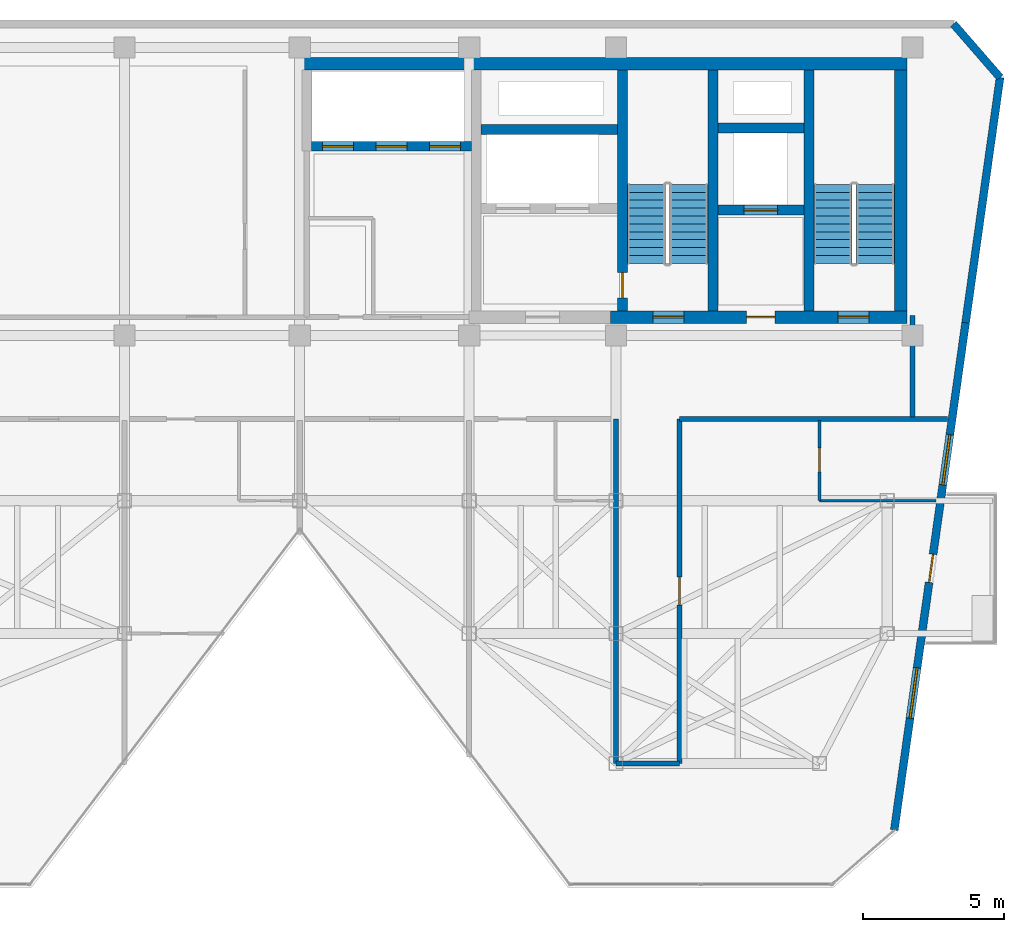
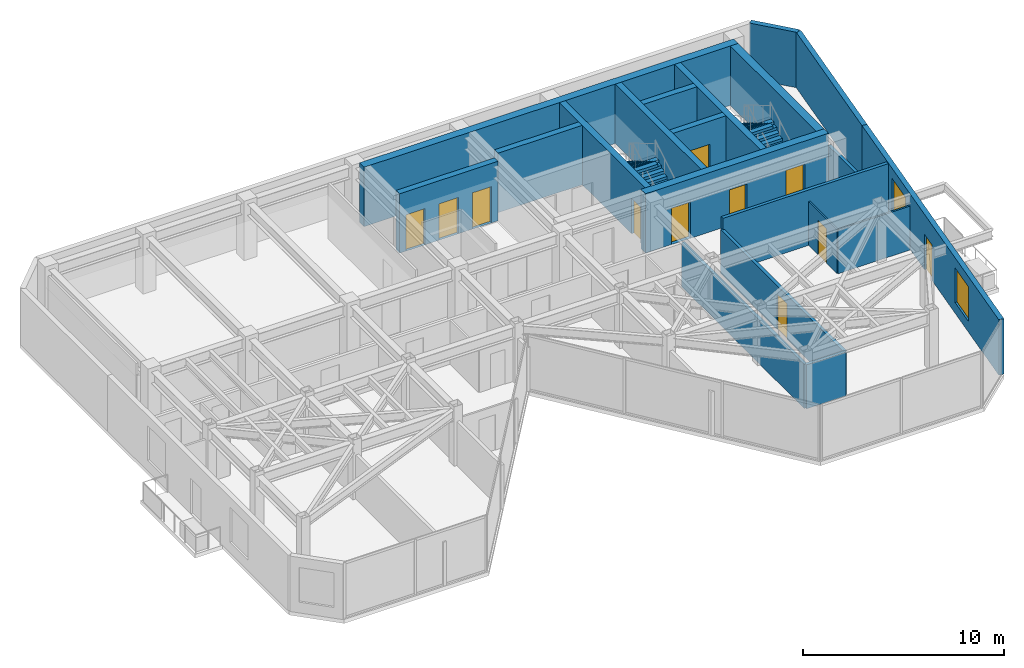
# One storey, part 14 of 17: 20 walls, 11 doors, 4 stair flights, 2 windows, 13 openings, 2 elements without a shape of their own.
"""IFC4 building model written with IfcOpenShell, lengths in metres."""

from ifc_helpers import new_model, si_unit, direction, frame, frame_2d, origin, place, context, subcontext, project, spatial, polyline, rectangle, outline, extrude, material, layer, layer_set, type_object, element, fill, aggregate, save


model = new_model("IFC4")

# Units and contexts
model_context = context("Model", 3, precision=1e-05, world=origin(), true_north=direction((0.0, 1.0)))
body_context = subcontext(model_context, "Body", "Model", "MODEL_VIEW")
ifc_project = project(units=[si_unit("LENGTHUNIT", "METRE"), si_unit("AREAUNIT", "SQUARE_METRE"), si_unit("VOLUMEUNIT", "CUBIC_METRE"), si_unit("PLANEANGLEUNIT", "RADIAN"), si_unit("MASSUNIT", "GRAM", prefix="KILO")], contexts=[model_context])

# Site, building, storey
site_placement = place(None, origin())
site = spatial("IfcSite", under=ifc_project, at=site_placement, CompositionType="ELEMENT")
building_placement = place(site_placement, origin())
building = spatial("IfcBuilding", under=site, at=building_placement, Name="Kravanh Interchange Tower", CompositionType="ELEMENT")
storey_placement = place(building_placement, frame((0.0, 0.0, 249.0)))
storey = spatial("IfcBuildingStorey", under=building, at=storey_placement, Name="L60", CompositionType="ELEMENT", Elevation=249.0)

# Walls
ifc_material_1 = material(Name="Concrete C60/75", Category="concrete")
ifc_layer_1 = layer(ifc_material_1, 0.35009765625)
ifc_layer_set_1 = layer_set([ifc_layer_1], Name="Core Shear Wall Concrete C60/75 350mm")
wall_type_1 = type_object("IfcWallType", Name="Core Shear Wall Concrete C60/75 350mm", PredefinedType="SHEAR", material=ifc_layer_set_1)
for number, where, z_axis, x_axis, name in (
    (1, (62.824951171875, 38.22509765625, 0.0), (0.0, 0.0, 1.0), (0.0, 1.0, 0.0), "L60 Stair ST1 West Shear Wall"),
    (2, (59.425048828125, 38.22509765625, 0.0), (0.0, 0.0, 1.0), (0.0, 1.0, 0.0), "L60 Stair ST2 East Shear Wall"),
):
    element("IfcWall", number, at=place(storey_placement, frame(where, z_axis=z_axis, x_axis=x_axis)), inside=storey, type_object=wall_type_1, Name=name, PredefinedType="SHEAR", context=body_context, shape_type="SweptSolid", body=[
        extrude(rectangle(XDim=8.52490234375, YDim=0.35009765625, at=frame_2d((4.262451171875, 0.0))), origin(), (0.0, 0.0, 1.0), 3.60009765625),
    ])

# Wall, opening, door
wall_1_placement = place(storey_placement, frame((56.22509765625, 38.22509765625, 0.0), z_axis=(0.0, 0.0, 1.0), x_axis=(0.0, 1.0, 0.0)))
wall_1 = element("IfcWall", 3, at=wall_1_placement, inside=storey, type_object=wall_type_1, Name="L60 Stair ST2 West Shear Wall", PredefinedType="SHEAR", context=body_context, shape_type="SweptSolid", body=[
    extrude(rectangle(XDim=8.52490234375, YDim=0.35009765625, at=frame_2d((4.262451171875, 0.0))), origin(), (0.0, 0.0, 1.0), 3.60009765625),
])
opening_1_placement = place(wall_1_placement, frame((0.455078125, 0.0, 0.0)))
opening_1 = element("IfcOpeningElement", 4, at=opening_1_placement, cuts=wall_1, Name="Opening D-STAIR-90", PredefinedType="OPENING", context=body_context, shape_type="SweptSolid", body=[
    extrude(rectangle(XDim=0.89990234375, YDim=2.14990234375, at=frame_2d((0.449951171875, 1.074951171875))), frame((0.0, 0.18505859375, 0.0), z_axis=(0.0, -1.0, 0.0), x_axis=(1.0, 0.0, 0.0)), (0.0, 0.0, 1.0), 0.3701171875),
])
ifc_material_2 = material(Name="Structural Steel S355", Category="steel")
door_type_1 = type_object("IfcDoorType", Name="Fire-Rated Stair Lobby Door 900x2150", OperationType="NOTDEFINED", PredefinedType="DOOR", material=ifc_material_2)
door_1_placement = place(opening_1_placement, origin())
door_1 = element("IfcDoor", 5, at=door_1_placement, inside=storey, type_object=door_type_1, Name="L60 Firefighting Lobby to Stair ST2 Door", OperationType="SINGLE_SWING_LEFT", OverallHeight=2.14990234375, OverallWidth=0.89990234375, PredefinedType="DOOR", context=body_context, shape_type="SweptSolid", body=[
    extrude(rectangle(XDim=0.89990234375, YDim=2.14990234375, at=frame_2d((0.449951171875, 1.074951171875))), frame((0.0, 0.02490234375, 0.0), z_axis=(0.0, -1.0, 0.0), x_axis=(1.0, 0.0, 0.0)), (0.0, 0.0, 1.0), 0.050048828125),
])
fill(opening_1, door_1)

wall_2_placement = place(storey_placement, frame((59.60009765625, 41.800048828125, 0.0), z_axis=(0.0, 0.0, 1.0), x_axis=(1.0, 0.0, 0.0)))
wall_2 = element("IfcWall", 6, at=wall_2_placement, inside=storey, type_object=wall_type_1, Name="L60 Service Lift Shaft South Wall", PredefinedType="SHEAR", context=body_context, shape_type="SweptSolid", body=[
    extrude(rectangle(XDim=3.0498046875, YDim=0.35009765625, at=frame_2d((1.52490234375, 0.0))), origin(), (0.0, 0.0, 1.0), 3.60009765625),
])
opening_2_placement = place(wall_2_placement, frame((0.919921875, 0.0, 0.0)))
opening_2 = element("IfcOpeningElement", 7, at=opening_2_placement, cuts=wall_2, Name="Opening LD02", PredefinedType="OPENING", context=body_context, shape_type="SweptSolid", body=[
    extrude(rectangle(XDim=1.199951171875, YDim=2.199951171875, at=frame_2d((0.60009765625, 1.10009765625))), frame((0.0, 0.18505859375, 0.0), z_axis=(0.0, -1.0, 0.0), x_axis=(1.0, 0.0, 0.0)), (0.0, 0.0, 1.0), 0.3701171875),
])
ifc_material_3 = material(Name="Stainless Steel 316", Category="steel")
door_type_2 = type_object("IfcDoorType", Name="Fire and Service Lift Sliding Landing Door 1200x2200", OperationType="DOUBLE_DOOR_SLIDING", PredefinedType="DOOR", material=ifc_material_3)
door_2_placement = place(opening_2_placement, origin())
door_2 = element("IfcDoor", 8, at=door_2_placement, inside=storey, type_object=door_type_2, Name="L60 Lift LS-01 Landing Door", OperationType="DOUBLE_DOOR_SLIDING", OverallHeight=2.199951171875, OverallWidth=1.199951171875, PredefinedType="DOOR", context=body_context, shape_type="SweptSolid", body=[
    extrude(rectangle(XDim=1.199951171875, YDim=2.199951171875, at=frame_2d((0.60009765625, 1.10009765625))), frame((0.0, 0.02490234375, 0.0), z_axis=(0.0, -1.0, 0.0), x_axis=(1.0, 0.0, 0.0)), (0.0, 0.0, 1.0), 0.050048828125),
])
fill(opening_2, door_2)

# Walls
wall_3_placement = place(storey_placement, frame((59.60009765625, 44.699951171875, 0.0), z_axis=(0.0, 0.0, 1.0), x_axis=(1.0, 0.0, 0.0)))
element("IfcWall", 9, at=wall_3_placement, inside=storey, type_object=wall_type_1, Name="L60 Service Lift Shaft North Wall", PredefinedType="SHEAR", context=body_context, shape_type="SweptSolid", body=[
    extrude(rectangle(XDim=3.0498046875, YDim=0.35009765625, at=frame_2d((1.52490234375, 0.0))), origin(), (0.0, 0.0, 1.0), 3.60009765625),
])
wall_4_placement = place(storey_placement, frame((51.22509765625, 44.64990234375, 0.0), z_axis=(0.0, 0.0, 1.0), x_axis=(1.0, 0.0, 0.0)))
element("IfcWall", 10, at=wall_4_placement, inside=storey, type_object=wall_type_1, Name="L60 Fire Lift Shaft North Wall", PredefinedType="SHEAR", context=body_context, shape_type="SweptSolid", body=[
    extrude(rectangle(XDim=4.824951171875, YDim=0.35009765625, at=frame_2d((2.41259765625, 0.0))), origin(), (0.0, 0.0, 1.0), 3.60009765625),
])

# Wall, openings, doors
wall_5_placement = place(storey_placement, frame((45.22509765625, 44.050048828125, 0.0), z_axis=(0.0, 0.0, 1.0), x_axis=(1.0, 0.0, 0.0)))
wall_5 = element("IfcWall", 11, at=wall_5_placement, inside=storey, type_object=wall_type_1, Name="L60 High-Rise Lift Shaft South Wall", PredefinedType="SHEAR", context=body_context, shape_type="SweptSolid", body=[
    extrude(rectangle(XDim=5.64990234375, YDim=0.35009765625, at=frame_2d((2.824951171875, 0.0))), origin(), (0.0, 0.0, 1.0), 3.60009765625),
])
opening_3_placement = place(wall_5_placement, frame((0.375, 0.0, 0.0)))
opening_3 = element("IfcOpeningElement", 12, at=opening_3_placement, cuts=wall_5, Name="Opening LD01", PredefinedType="OPENING", context=body_context, shape_type="SweptSolid", body=[
    extrude(rectangle(XDim=1.10009765625, YDim=2.199951171875, at=frame_2d((0.550048828125, 1.10009765625))), frame((0.0, 0.18505859375, 0.0), z_axis=(0.0, -1.0, 0.0), x_axis=(1.0, 0.0, 0.0)), (0.0, 0.0, 1.0), 0.3701171875),
])
opening_4_placement = place(wall_5_placement, frame((2.27490234375, 0.0, 0.0)))
opening_4 = element("IfcOpeningElement", 13, at=opening_4_placement, cuts=wall_5, Name="Opening LD01", PredefinedType="OPENING", context=body_context, shape_type="SweptSolid", body=[
    extrude(rectangle(XDim=1.10009765625, YDim=2.199951171875, at=frame_2d((0.550048828125, 1.10009765625))), frame((0.0, 0.18505859375, 0.0), z_axis=(0.0, -1.0, 0.0), x_axis=(1.0, 0.0, 0.0)), (0.0, 0.0, 1.0), 0.3701171875),
])
opening_5_placement = place(wall_5_placement, frame((4.175048828125, 0.0, 0.0)))
opening_5 = element("IfcOpeningElement", 14, at=opening_5_placement, cuts=wall_5, Name="Opening LD01", PredefinedType="OPENING", context=body_context, shape_type="SweptSolid", body=[
    extrude(rectangle(XDim=1.10009765625, YDim=2.199951171875, at=frame_2d((0.550048828125, 1.10009765625))), frame((0.0, 0.18505859375, 0.0), z_axis=(0.0, -1.0, 0.0), x_axis=(1.0, 0.0, 0.0)), (0.0, 0.0, 1.0), 0.3701171875),
])
ifc_material_4 = material(Name="Stainless Steel 304", Category="steel")
door_type_3 = type_object("IfcDoorType", Name="Passenger Lift Sliding Landing Door 1100x2200", OperationType="DOUBLE_DOOR_SLIDING", PredefinedType="DOOR", material=ifc_material_4)
door_3_placement = place(opening_3_placement, origin())
door_3 = element("IfcDoor", 15, at=door_3_placement, inside=storey, type_object=door_type_3, Name="L60 Lift LP-H1 Landing Door", OperationType="DOUBLE_DOOR_SLIDING", OverallHeight=2.199951171875, OverallWidth=1.10009765625, PredefinedType="DOOR", context=body_context, shape_type="SweptSolid", body=[
    extrude(rectangle(XDim=1.10009765625, YDim=2.199951171875, at=frame_2d((0.550048828125, 1.10009765625))), frame((0.0, 0.02490234375, 0.0), z_axis=(0.0, -1.0, 0.0), x_axis=(1.0, 0.0, 0.0)), (0.0, 0.0, 1.0), 0.050048828125),
])
fill(opening_3, door_3)
door_4_placement = place(opening_4_placement, origin())
door_4 = element("IfcDoor", 16, at=door_4_placement, inside=storey, type_object=door_type_3, Name="L60 Lift LP-H2 Landing Door", OperationType="DOUBLE_DOOR_SLIDING", OverallHeight=2.199951171875, OverallWidth=1.10009765625, PredefinedType="DOOR", context=body_context, shape_type="SweptSolid", body=[
    extrude(rectangle(XDim=1.10009765625, YDim=2.199951171875, at=frame_2d((0.550048828125, 1.10009765625))), frame((0.0, 0.02490234375, 0.0), z_axis=(0.0, -1.0, 0.0), x_axis=(1.0, 0.0, 0.0)), (0.0, 0.0, 1.0), 0.050048828125),
])
fill(opening_4, door_4)
door_5_placement = place(opening_5_placement, origin())
door_5 = element("IfcDoor", 17, at=door_5_placement, inside=storey, type_object=door_type_3, Name="L60 Lift LP-H3 Landing Door", OperationType="DOUBLE_DOOR_SLIDING", OverallHeight=2.199951171875, OverallWidth=1.10009765625, PredefinedType="DOOR", context=body_context, shape_type="SweptSolid", body=[
    extrude(rectangle(XDim=1.10009765625, YDim=2.199951171875, at=frame_2d((0.550048828125, 1.10009765625))), frame((0.0, 0.02490234375, 0.0), z_axis=(0.0, -1.0, 0.0), x_axis=(1.0, 0.0, 0.0)), (0.0, 0.0, 1.0), 0.050048828125),
])
fill(opening_5, door_5)

# Wall
ifc_material_5 = material(Name="Concrete C60/75", Category="concrete")
ifc_layer_2 = layer(ifc_material_5, 0.449951171875)
ifc_layer_set_2 = layer_set([ifc_layer_2], Name="Core Shear Wall Concrete C60/75 450mm")
wall_type_2 = type_object("IfcWallType", Name="Core Shear Wall Concrete C60/75 450mm", PredefinedType="SHEAR", material=ifc_layer_set_2)
wall_6_placement = place(storey_placement, frame((44.85009765625, 46.97509765625, 0.0), z_axis=(0.0, 0.0, 1.0), x_axis=(1.0, 0.0, 0.0)))
element("IfcWall", 18, at=wall_6_placement, inside=storey, type_object=wall_type_2, Name="L60 North Core Shear Wall", PredefinedType="SHEAR", context=body_context, shape_type="SweptSolid", body=[
    extrude(rectangle(XDim=21.449951171875, YDim=0.449951171875, at=frame_2d((10.72509765625, 0.0))), origin(), (0.0, 0.0, 1.0), 3.60009765625),
])

# Wall, openings, doors
wall_7_placement = place(storey_placement, frame((55.800048828125, 38.0, 0.0), z_axis=(0.0, 0.0, 1.0), x_axis=(1.0, 0.0, 0.0)))
wall_7 = element("IfcWall", 19, at=wall_7_placement, inside=storey, type_object=wall_type_2, Name="L60 East Core South Shear Wall", PredefinedType="SHEAR", context=body_context, shape_type="SweptSolid", body=[
    extrude(rectangle(XDim=10.5, YDim=0.449951171875, at=frame_2d((5.25, 0.0))), origin(), (0.0, 0.0, 1.0), 3.60009765625),
])
opening_6_placement = place(wall_7_placement, frame((1.5, 0.0, 0.0)))
opening_6 = element("IfcOpeningElement", 20, at=opening_6_placement, cuts=wall_7, Name="Opening D-STAIR-110", PredefinedType="OPENING", context=body_context, shape_type="SweptSolid", body=[
    extrude(rectangle(XDim=1.10009765625, YDim=2.199951171875, at=frame_2d((0.550048828125, 1.10009765625))), frame((0.0, 0.23486328125, 0.0), z_axis=(0.0, -1.0, 0.0), x_axis=(1.0, 0.0, 0.0)), (0.0, 0.0, 1.0), 0.469970703125),
])
opening_7_placement = place(wall_7_placement, frame((4.820068359375, 0.0, 0.0)))
opening_7 = element("IfcOpeningElement", 21, at=opening_7_placement, cuts=wall_7, Name="Opening D-HOTEL-100", PredefinedType="OPENING", context=body_context, shape_type="SweptSolid", body=[
    extrude(rectangle(XDim=1.0, YDim=2.14990234375, at=frame_2d((0.5, 1.074951171875))), frame((0.0, 0.23486328125, 0.0), z_axis=(0.0, -1.0, 0.0), x_axis=(1.0, 0.0, 0.0)), (0.0, 0.0, 1.0), 0.469970703125),
])
opening_8_placement = place(wall_7_placement, frame((8.050048828125, 0.0, 0.0)))
opening_8 = element("IfcOpeningElement", 22, at=opening_8_placement, cuts=wall_7, Name="Opening D-STAIR-110", PredefinedType="OPENING", context=body_context, shape_type="SweptSolid", body=[
    extrude(rectangle(XDim=1.10009765625, YDim=2.199951171875, at=frame_2d((0.550048828125, 1.10009765625))), frame((0.0, 0.23486328125, 0.0), z_axis=(0.0, -1.0, 0.0), x_axis=(1.0, 0.0, 0.0)), (0.0, 0.0, 1.0), 0.469970703125),
])
ifc_material_6 = material(Name="Structural Steel S355", Category="steel")
door_type_4 = type_object("IfcDoorType", Name="Fire-Rated Exit Stair Door 1100x2200", OperationType="NOTDEFINED", PredefinedType="DOOR", material=ifc_material_6)
door_6_placement = place(opening_6_placement, origin())
door_6 = element("IfcDoor", 23, at=door_6_placement, inside=storey, type_object=door_type_4, Name="L60 Exit Stair ST2 Door", OperationType="SINGLE_SWING_RIGHT", OverallHeight=2.199951171875, OverallWidth=1.10009765625, PredefinedType="DOOR", context=body_context, shape_type="SweptSolid", body=[
    extrude(rectangle(XDim=1.10009765625, YDim=2.199951171875, at=frame_2d((0.550048828125, 1.10009765625))), frame((0.0, 0.02490234375, 0.0), z_axis=(0.0, -1.0, 0.0), x_axis=(1.0, 0.0, 0.0)), (0.0, 0.0, 1.0), 0.050048828125),
])
fill(opening_6, door_6)
door_7_placement = place(opening_8_placement, origin())
door_7 = element("IfcDoor", 24, at=door_7_placement, inside=storey, type_object=door_type_4, Name="L60 Exit Stair ST1 Door", OperationType="SINGLE_SWING_RIGHT", OverallHeight=2.199951171875, OverallWidth=1.10009765625, PredefinedType="DOOR", context=body_context, shape_type="SweptSolid", body=[
    extrude(rectangle(XDim=1.10009765625, YDim=2.199951171875, at=frame_2d((0.550048828125, 1.10009765625))), frame((0.0, 0.02490234375, 0.0), z_axis=(0.0, -1.0, 0.0), x_axis=(1.0, 0.0, 0.0)), (0.0, 0.0, 1.0), 0.050048828125),
])
fill(opening_8, door_7)
ifc_material_7 = material(Name="Fire-Rated Solid Timber Leaf", Category="wood")
door_type_5 = type_object("IfcDoorType", Name="Fire-Rated Suite Entrance Door 1000x2150", OperationType="NOTDEFINED", PredefinedType="DOOR", material=ifc_material_7)
door_8_placement = place(opening_7_placement, origin())
door_8 = element("IfcDoor", 25, at=door_8_placement, inside=storey, type_object=door_type_5, Name="L60 Service Lift Lobby Door", OperationType="SINGLE_SWING_RIGHT", OverallHeight=2.14990234375, OverallWidth=1.0, PredefinedType="DOOR", context=body_context, shape_type="SweptSolid", body=[
    extrude(rectangle(XDim=1.0, YDim=2.14990234375, at=frame_2d((0.5, 1.074951171875))), frame((0.0, 0.02490234375, 0.0), z_axis=(0.0, -1.0, 0.0), x_axis=(1.0, 0.0, 0.0)), (0.0, 0.0, 1.0), 0.050048828125),
])
fill(opening_7, door_8)

# Walls
wall_8_placement = place(storey_placement, frame((66.074951171875, 38.22509765625, 0.0), z_axis=(0.0, 0.0, 1.0), x_axis=(0.0, 1.0, 0.0)))
element("IfcWall", 26, at=wall_8_placement, inside=storey, type_object=wall_type_2, Name="L60 Stair ST1 East Shear Wall", PredefinedType="SHEAR", context=body_context, shape_type="SweptSolid", body=[
    extrude(rectangle(XDim=8.52490234375, YDim=0.449951171875, at=frame_2d((4.262451171875, 0.0))), origin(), (0.0, 0.0, 1.0), 3.60009765625),
])
ifc_material_8 = material(Name="Moisture-Resistant Gypsum Board and Mineral Wool")
ifc_layer_3 = layer(ifc_material_8, 0.10009765625)
ifc_layer_set_3 = layer_set([ifc_layer_3], Name="En-Suite Moisture-Resistant Partition 100mm")
wall_type_3 = type_object("IfcWallType", Name="En-Suite Moisture-Resistant Partition 100mm", PredefinedType="PARTITIONING", material=ifc_layer_set_3)
wall_9_placement = place(storey_placement, frame((63.199951171875, 31.5, 0.0), z_axis=(0.0, 0.0, 1.0), x_axis=(1.0, 0.0, 0.0)))
element("IfcWall", 27, at=wall_9_placement, inside=storey, type_object=wall_type_3, Name="L60 Interior Partition 16", PredefinedType="PARTITIONING", context=body_context, shape_type="SweptSolid", body=[
    extrude(rectangle(XDim=4.123046875, YDim=0.10009765625, at=frame_2d((2.0615234375, 0.0))), origin(), (0.0, 0.0, 1.0), 2.6640625),
])

# Wall, opening, door
wall_10_placement = place(storey_placement, frame((63.199951171875, 31.5, 0.0), z_axis=(0.0, 0.0, 1.0), x_axis=(0.0, 1.0, 0.0)))
wall_10 = element("IfcWall", 28, at=wall_10_placement, inside=storey, type_object=wall_type_3, Name="L60 Interior Partition 17", PredefinedType="PARTITIONING", context=body_context, shape_type="SweptSolid", body=[
    extrude(rectangle(XDim=2.83203125, YDim=0.10009765625, at=frame_2d((1.416015625, 0.0))), origin(), (0.0, 0.0, 1.0), 2.6640625),
])
opening_9_placement = place(wall_10_placement, frame((1.02490234375, 0.0, 0.0)))
opening_9 = element("IfcOpeningElement", 29, at=opening_9_placement, cuts=wall_10, Name="Opening D-85", PredefinedType="OPENING", context=body_context, shape_type="SweptSolid", body=[
    extrude(rectangle(XDim=0.85009765625, YDim=2.10009765625, at=frame_2d((0.425048828125, 1.050048828125))), frame((0.0, 0.06005859375, 0.0), z_axis=(0.0, -1.0, 0.0), x_axis=(1.0, 0.0, 0.0)), (0.0, 0.0, 1.0), 0.1201171875),
])
ifc_material_9 = material(Name="Engineered Teak Veneer Timber", Category="wood")
door_type_6 = type_object("IfcDoorType", Name="En-Suite Timber Door 850x2100", OperationType="NOTDEFINED", PredefinedType="DOOR", material=ifc_material_9)
door_9_placement = place(opening_9_placement, origin())
door_9 = element("IfcDoor", 30, at=door_9_placement, inside=storey, type_object=door_type_6, Name="L60 En-suite Bathroom Door", OperationType="SINGLE_SWING_LEFT", OverallHeight=2.10009765625, OverallWidth=0.85009765625, PredefinedType="DOOR", context=body_context, shape_type="SweptSolid", body=[
    extrude(rectangle(XDim=0.85009765625, YDim=2.10009765625, at=frame_2d((0.425048828125, 1.050048828125))), frame((0.0, 0.02490234375, 0.0), z_axis=(0.0, -1.0, 0.0), x_axis=(1.0, 0.0, 0.0)), (0.0, 0.0, 1.0), 0.050048828125),
])
fill(opening_9, door_9)

# Walls
ifc_material_10 = material(Name="Insulated Precast Concrete C40/50 with Bronze Cladding", Category="concrete")
ifc_layer_4 = layer(ifc_material_10, 0.280029296875)
ifc_layer_set_4 = layer_set([ifc_layer_4], Name="Exterior Insulated Concrete C40/50 Bronze Spandrel Wall 280mm")
wall_type_4 = type_object("IfcWallType", Name="Exterior Insulated Concrete C40/50 Bronze Spandrel Wall 280mm", PredefinedType="STANDARD", material=ifc_layer_set_4)
wall_11_placement = place(storey_placement, frame((67.9453125, 48.3798828125, 0.0), z_axis=(0.0, 0.0, 1.0), x_axis=(0.656068147197, -0.75470165379, 0.0)))
element("IfcWall", 31, at=wall_11_placement, inside=storey, type_object=wall_type_4, Name="L60 Exterior Wall 5", PredefinedType="STANDARD", context=body_context, shape_type="SweptSolid", body=[
    extrude(rectangle(XDim=2.514892578125, YDim=0.280029296875, at=frame_2d((1.25732421875, 0.0))), origin(), (0.0, 0.0, 1.0), 3.360107421875),
])
wall_12_placement = place(storey_placement, frame((69.59521484375, 46.48193359375, 0.0), z_axis=(0.0, 0.0, 1.0), x_axis=(-0.139179310088, -0.990267196086, 0.0)))
element("IfcWall", 32, at=wall_12_placement, inside=storey, type_object=wall_type_4, Name="L60 Exterior Wall 6", PredefinedType="STANDARD", context=body_context, shape_type="SweptSolid", body=[
    extrude(rectangle(XDim=8.767333984375, YDim=0.280029296875, at=frame_2d((4.3837890625, 0.0))), origin(), (0.0, 0.0, 1.0), 3.360107421875),
])

# Wall, openings, door, windows
wall_13_placement = place(storey_placement, frame((68.375, 37.800048828125, 0.0), z_axis=(0.0, 0.0, 1.0), x_axis=(-0.13917438523, -0.990267888248, 0.0)))
wall_13 = element("IfcWall", 33, at=wall_13_placement, inside=storey, type_object=wall_type_4, Name="L60 Exterior Wall 7", PredefinedType="STANDARD", context=body_context, shape_type="SweptSolid", body=[
    extrude(rectangle(XDim=18.135009765625, YDim=0.280029296875, at=frame_2d((9.0673828125, 0.0))), origin(), (0.0, 0.0, 1.0), 3.360107421875),
])
opening_10_placement = place(wall_13_placement, frame((8.27880859375, 0.0, 0.0)))
opening_10 = element("IfcOpeningElement", 34, at=opening_10_placement, cuts=wall_13, Name="Opening ED-BAL100", PredefinedType="OPENING", context=body_context, shape_type="SweptSolid", body=[
    extrude(rectangle(XDim=1.0, YDim=2.14990234375, at=frame_2d((0.5, 1.074951171875))), frame((0.0, 0.14990234375, 0.0), z_axis=(0.0, -1.0, 0.0), x_axis=(1.0, 0.0, 0.0)), (0.0, 0.0, 1.0), 0.300048828125),
])
opening_11_placement = place(wall_13_placement, frame((3.997314453125, 0.0, 0.64990234375)))
opening_11 = element("IfcOpeningElement", 35, at=opening_11_placement, cuts=wall_13, Name="Opening WN-180X210", PredefinedType="OPENING", context=body_context, shape_type="SweptSolid", body=[
    extrude(rectangle(XDim=1.800048828125, YDim=2.10009765625, at=frame_2d((0.89990234375, 1.050048828125))), frame((0.0, 0.14990234375, 0.0), z_axis=(0.0, -1.0, 0.0), x_axis=(1.0, 0.0, 0.0)), (0.0, 0.0, 1.0), 0.300048828125),
])
opening_12_placement = place(wall_13_placement, frame((12.337646484375, 0.0, 0.64990234375)))
opening_12 = element("IfcOpeningElement", 36, at=opening_12_placement, cuts=wall_13, Name="Opening WN-180X210", PredefinedType="OPENING", context=body_context, shape_type="SweptSolid", body=[
    extrude(rectangle(XDim=1.800048828125, YDim=2.10009765625, at=frame_2d((0.89990234375, 1.050048828125))), frame((0.0, 0.14990234375, 0.0), z_axis=(0.0, -1.0, 0.0), x_axis=(1.0, 0.0, 0.0)), (0.0, 0.0, 1.0), 0.300048828125),
])
ifc_material_11 = material(Name="Thermally Broken Bronze Aluminium and Laminated Glass", Category="aluminium")
door_type_7 = type_object("IfcDoorType", Name="Balcony Glazed Door 1000x2150", OperationType="NOTDEFINED", PredefinedType="DOOR", material=ifc_material_11)
door_10_placement = place(opening_10_placement, origin())
door_10 = element("IfcDoor", 37, at=door_10_placement, inside=storey, type_object=door_type_7, Name="L60 E Tree Balcony Access Door", OperationType="SINGLE_SWING_RIGHT", OverallHeight=2.14990234375, OverallWidth=1.0, PredefinedType="DOOR", context=body_context, shape_type="SweptSolid", body=[
    extrude(rectangle(XDim=1.0, YDim=2.14990234375, at=frame_2d((0.5, 1.074951171875))), frame((0.0, 0.02490234375, 0.0), z_axis=(0.0, -1.0, 0.0), x_axis=(1.0, 0.0, 0.0)), (0.0, 0.0, 1.0), 0.050048828125),
])
fill(opening_10, door_10)
ifc_material_12 = material(Name="Thermally Broken Bronze Aluminium and Low-E Glass", Category="aluminium")
window_type = type_object("IfcWindowType", Name="Tower Pier Window 1800x2100", PartitioningType="SINGLE_PANEL", PredefinedType="WINDOW", material=ifc_material_12)
window_1_placement = place(opening_11_placement, origin())
window_1 = element("IfcWindow", 38, at=window_1_placement, inside=storey, type_object=window_type, Name="L60 Facade Window 7A", OverallHeight=2.10009765625, OverallWidth=1.800048828125, PartitioningType="SINGLE_PANEL", PredefinedType="WINDOW", context=body_context, shape_type="SweptSolid", body=[
    extrude(rectangle(XDim=1.800048828125, YDim=2.10009765625, at=frame_2d((0.89990234375, 1.050048828125))), frame((0.0, 0.030029296875, 0.0), z_axis=(0.0, -1.0, 0.0), x_axis=(1.0, 0.0, 0.0)), (0.0, 0.0, 1.0), 0.06005859375),
])
fill(opening_11, window_1)
window_2_placement = place(opening_12_placement, origin())
window_2 = element("IfcWindow", 39, at=window_2_placement, inside=storey, type_object=window_type, Name="L60 Facade Window 7B", OverallHeight=2.10009765625, OverallWidth=1.800048828125, PartitioningType="SINGLE_PANEL", PredefinedType="WINDOW", context=body_context, shape_type="SweptSolid", body=[
    extrude(rectangle(XDim=1.800048828125, YDim=2.10009765625, at=frame_2d((0.89990234375, 1.050048828125))), frame((0.0, 0.030029296875, 0.0), z_axis=(0.0, -1.0, 0.0), x_axis=(1.0, 0.0, 0.0)), (0.0, 0.0, 1.0), 0.06005859375),
])
fill(opening_12, window_2)

# Walls
ifc_material_13 = material(Name="Autoclaved Aerated Concrete C30/37 Blockwork", Category="masonry")
ifc_layer_5 = layer(ifc_material_13, 0.179931640625)
ifc_layer_set_5 = layer_set([ifc_layer_5], Name="Fire-Rated Lobby and Corridor Wall Concrete C30/37 180mm")
wall_type_5 = type_object("IfcWallType", Name="Fire-Rated Lobby and Corridor Wall Concrete C30/37 180mm", PredefinedType="STANDARD", material=ifc_layer_set_5)
wall_14_placement = place(storey_placement, frame((58.25, 34.39990234375, 0.0), z_axis=(0.0, 0.0, 1.0), x_axis=(1.0, 0.0, 0.0)))
element("IfcWall", 40, at=wall_14_placement, inside=storey, type_object=wall_type_5, Name="L60 Interior Partition 9", PredefinedType="STANDARD", context=body_context, shape_type="SweptSolid", body=[
    extrude(rectangle(XDim=9.48046875, YDim=0.179931640625, at=frame_2d((4.740234375, 0.0))), origin(), (0.0, 0.0, 1.0), 3.360107421875),
])
wall_15_placement = place(storey_placement, frame((66.5, 34.468017578125, 0.0), z_axis=(0.0, 0.0, 1.0), x_axis=(0.0, 1.0, 0.0)))
element("IfcWall", 41, at=wall_15_placement, inside=storey, type_object=wall_type_5, Name="L60 Interior Partition 10", PredefinedType="STANDARD", context=body_context, shape_type="SweptSolid", body=[
    extrude(rectangle(XDim=3.58203125, YDim=0.179931640625, at=frame_2d((1.791015625, 0.0))), origin(), (0.0, 0.0, 1.0), 2.6640625),
])
wall_16_placement = place(storey_placement, frame((56.0, 22.199951171875, 0.0), z_axis=(0.0, 0.0, 1.0), x_axis=(0.0, 1.0, 0.0)))
element("IfcWall", 42, at=wall_16_placement, inside=storey, type_object=wall_type_5, Name="L60 Interior Partition 11", PredefinedType="STANDARD", context=body_context, shape_type="SweptSolid", body=[
    extrude(rectangle(XDim=12.199951171875, YDim=0.179931640625, at=frame_2d((6.10009765625, 0.0))), origin(), (0.0, 0.0, 1.0), 2.6640625),
])

# Wall, opening, door
wall_17_placement = place(storey_placement, frame((58.25, 22.199951171875, 0.0), z_axis=(0.0, 0.0, 1.0), x_axis=(0.0, 1.0, 0.0)))
wall_17 = element("IfcWall", 43, at=wall_17_placement, inside=storey, type_object=wall_type_5, Name="L60 Interior Partition 12", PredefinedType="STANDARD", context=body_context, shape_type="SweptSolid", body=[
    extrude(rectangle(XDim=12.199951171875, YDim=0.179931640625, at=frame_2d((6.10009765625, 0.0))), origin(), (0.0, 0.0, 1.0), 2.6640625),
])
opening_13_placement = place(wall_17_placement, frame((5.60009765625, 0.0, 0.0)))
opening_13 = element("IfcOpeningElement", 44, at=opening_13_placement, cuts=wall_17, Name="Opening D-HOTEL-100", PredefinedType="OPENING", context=body_context, shape_type="SweptSolid", body=[
    extrude(rectangle(XDim=1.0, YDim=2.14990234375, at=frame_2d((0.5, 1.074951171875))), frame((0.0, 0.10009765625, 0.0), z_axis=(0.0, -1.0, 0.0), x_axis=(1.0, 0.0, 0.0)), (0.0, 0.0, 1.0), 0.199951171875),
])
door_11_placement = place(opening_13_placement, origin())
door_11 = element("IfcDoor", 45, at=door_11_placement, inside=storey, type_object=door_type_5, Name="L60 Royal Panorama Hotel Suite Entrance Door", OperationType="SINGLE_SWING_RIGHT", OverallHeight=2.14990234375, OverallWidth=1.0, PredefinedType="DOOR", context=body_context, shape_type="SweptSolid", body=[
    extrude(rectangle(XDim=1.0, YDim=2.14990234375, at=frame_2d((0.5, 1.074951171875))), frame((0.0, 0.02490234375, 0.0), z_axis=(0.0, -1.0, 0.0), x_axis=(1.0, 0.0, 0.0)), (0.0, 0.0, 1.0), 0.050048828125),
])
fill(opening_13, door_11)

# Wall
wall_18_placement = place(storey_placement, frame((56.0, 22.199951171875, 0.0), z_axis=(0.0, 0.0, 1.0), x_axis=(1.0, 0.0, 0.0)))
element("IfcWall", 46, at=wall_18_placement, inside=storey, type_object=wall_type_5, Name="L60 Interior Partition 13", PredefinedType="STANDARD", context=body_context, shape_type="SweptSolid", body=[
    extrude(rectangle(XDim=2.25, YDim=0.179931640625, at=frame_2d((1.125, 0.0))), origin(), (0.0, 0.0, 1.0), 2.6640625),
])

# Stair, stair flights
ifc_material_14 = material(Name="Concrete C50/60", Category="concrete")
stair_type = type_object("IfcStairType", Name="Core Fire Exit Dogleg Stair Concrete C50/60", PredefinedType="HALF_TURN_STAIR", material=ifc_material_14)
stair_1_placement = place(storey_placement, origin())
stair_1 = element("IfcStair", 47, at=stair_1_placement, inside=storey, type_object=stair_type, Name="L60 Exit Stair ST1", PredefinedType="HALF_TURN_STAIR")
ifc_material_15 = material(Name="Precast Concrete C50/60", Category="concrete")
ifc_layer_6 = layer(ifc_material_15, 0.199951171875)
ifc_layer_set_6 = layer_set([ifc_layer_6], Name="Precast Concrete C50/60 Stair Flight 1350mm")
stair_flight_type = type_object("IfcStairFlightType", Name="Precast Concrete C50/60 Stair Flight 1350mm", PredefinedType="STRAIGHT", material=ifc_layer_set_6)
stair_flight_1_placement = place(storey_placement, frame((65.175048828125, 39.89990234375, 0.0), z_axis=(0.0, 0.0, 1.0), x_axis=(0.0, 1.0, 0.0)))
stair_flight_1 = element("IfcStairFlight", 48, at=stair_flight_1_placement, type_object=stair_flight_type, Name="ST1 flight 1", NumberOfRisers=11, NumberOfTreads=10, PredefinedType="STRAIGHT", RiserHeight=0.163636364, TreadLength=0.28, context=body_context, shape_type="SweptSolid", body=[
    extrude(outline(polyline([(0.0, 0.0), (0.0, 0.16357421875), (0.280029296875, 0.16357421875), (0.280029296875, 0.327392578125), (0.56005859375, 0.327392578125), (0.56005859375, 0.490966796875), (0.840087890625, 0.490966796875), (0.840087890625, 0.654541015625), (1.1201171875, 0.654541015625), (1.1201171875, 0.818115234375), (1.39990234375, 0.818115234375), (1.39990234375, 0.98193359375), (1.679931640625, 0.98193359375), (1.679931640625, 1.1455078125), (1.9599609375, 1.1455078125), (1.9599609375, 1.30908203125), (2.239990234375, 1.30908203125), (2.239990234375, 1.47265625), (2.52001953125, 1.47265625), (2.52001953125, 1.636474609375), (2.800048828125, 1.636474609375), (2.800048828125, 1.800048828125), (2.800048828125, 1.462646484375), (0.297119140625, 0.0), (0.0, 0.0)])), frame((0.0, 0.675048828125, 0.0), z_axis=(0.0, -1.0, 0.0), x_axis=(1.0, 0.0, 0.0)), (0.0, 0.0, 1.0), 1.35009765625),
])
stair_flight_2_placement = place(storey_placement, frame((63.675048828125, 42.699951171875, 1.800048828125), z_axis=(0.0, 0.0, 1.0), x_axis=(0.0, -1.0, 0.0)))
stair_flight_2 = element("IfcStairFlight", 49, at=stair_flight_2_placement, type_object=stair_flight_type, Name="ST1 flight 2", NumberOfRisers=11, NumberOfTreads=10, PredefinedType="STRAIGHT", RiserHeight=0.163636364, TreadLength=0.28, context=body_context, shape_type="SweptSolid", body=[
    extrude(outline(polyline([(0.0, 0.0), (0.0, 0.16357421875), (0.280029296875, 0.16357421875), (0.280029296875, 0.327392578125), (0.56005859375, 0.327392578125), (0.56005859375, 0.490966796875), (0.840087890625, 0.490966796875), (0.840087890625, 0.654541015625), (1.1201171875, 0.654541015625), (1.1201171875, 0.818115234375), (1.39990234375, 0.818115234375), (1.39990234375, 0.98193359375), (1.679931640625, 0.98193359375), (1.679931640625, 1.1455078125), (1.9599609375, 1.1455078125), (1.9599609375, 1.30908203125), (2.239990234375, 1.30908203125), (2.239990234375, 1.47265625), (2.52001953125, 1.47265625), (2.52001953125, 1.636474609375), (2.800048828125, 1.636474609375), (2.800048828125, 1.800048828125), (2.800048828125, 1.462646484375), (0.297119140625, 0.0), (0.0, 0.0)])), frame((0.0, 0.675048828125, 0.0), z_axis=(0.0, -1.0, 0.0), x_axis=(1.0, 0.0, 0.0)), (0.0, 0.0, 1.0), 1.35009765625),
])
aggregate(stair_1, [stair_flight_1, stair_flight_2])

stair_2_placement = place(storey_placement, origin())
stair_2 = element("IfcStair", 50, at=stair_2_placement, inside=storey, type_object=stair_type, Name="L60 Exit Stair ST2", PredefinedType="HALF_TURN_STAIR")
stair_flight_3_placement = place(storey_placement, frame((58.574951171875, 39.89990234375, 0.0), z_axis=(0.0, 0.0, 1.0), x_axis=(0.0, 1.0, 0.0)))
stair_flight_3 = element("IfcStairFlight", 51, at=stair_flight_3_placement, type_object=stair_flight_type, Name="ST2 flight 1", NumberOfRisers=11, NumberOfTreads=10, PredefinedType="STRAIGHT", RiserHeight=0.163636364, TreadLength=0.28, context=body_context, shape_type="SweptSolid", body=[
    extrude(outline(polyline([(0.0, 0.0), (0.0, 0.16357421875), (0.280029296875, 0.16357421875), (0.280029296875, 0.327392578125), (0.56005859375, 0.327392578125), (0.56005859375, 0.490966796875), (0.840087890625, 0.490966796875), (0.840087890625, 0.654541015625), (1.1201171875, 0.654541015625), (1.1201171875, 0.818115234375), (1.39990234375, 0.818115234375), (1.39990234375, 0.98193359375), (1.679931640625, 0.98193359375), (1.679931640625, 1.1455078125), (1.9599609375, 1.1455078125), (1.9599609375, 1.30908203125), (2.239990234375, 1.30908203125), (2.239990234375, 1.47265625), (2.52001953125, 1.47265625), (2.52001953125, 1.636474609375), (2.800048828125, 1.636474609375), (2.800048828125, 1.800048828125), (2.800048828125, 1.462646484375), (0.297119140625, 0.0), (0.0, 0.0)])), frame((0.0, 0.675048828125, 0.0), z_axis=(0.0, -1.0, 0.0), x_axis=(1.0, 0.0, 0.0)), (0.0, 0.0, 1.0), 1.35009765625),
])
stair_flight_4_placement = place(storey_placement, frame((57.074951171875, 42.699951171875, 1.800048828125), z_axis=(0.0, 0.0, 1.0), x_axis=(0.0, -1.0, 0.0)))
stair_flight_4 = element("IfcStairFlight", 52, at=stair_flight_4_placement, type_object=stair_flight_type, Name="ST2 flight 2", NumberOfRisers=11, NumberOfTreads=10, PredefinedType="STRAIGHT", RiserHeight=0.163636364, TreadLength=0.28, context=body_context, shape_type="SweptSolid", body=[
    extrude(outline(polyline([(0.0, 0.0), (0.0, 0.16357421875), (0.280029296875, 0.16357421875), (0.280029296875, 0.327392578125), (0.56005859375, 0.327392578125), (0.56005859375, 0.490966796875), (0.840087890625, 0.490966796875), (0.840087890625, 0.654541015625), (1.1201171875, 0.654541015625), (1.1201171875, 0.818115234375), (1.39990234375, 0.818115234375), (1.39990234375, 0.98193359375), (1.679931640625, 0.98193359375), (1.679931640625, 1.1455078125), (1.9599609375, 1.1455078125), (1.9599609375, 1.30908203125), (2.239990234375, 1.30908203125), (2.239990234375, 1.47265625), (2.52001953125, 1.47265625), (2.52001953125, 1.636474609375), (2.800048828125, 1.636474609375), (2.800048828125, 1.800048828125), (2.800048828125, 1.462646484375), (0.297119140625, 0.0), (0.0, 0.0)])), frame((0.0, 0.675048828125, 0.0), z_axis=(0.0, -1.0, 0.0), x_axis=(1.0, 0.0, 0.0)), (0.0, 0.0, 1.0), 1.35009765625),
])
aggregate(stair_2, [stair_flight_3, stair_flight_4])

save(model, "model.ifc")
